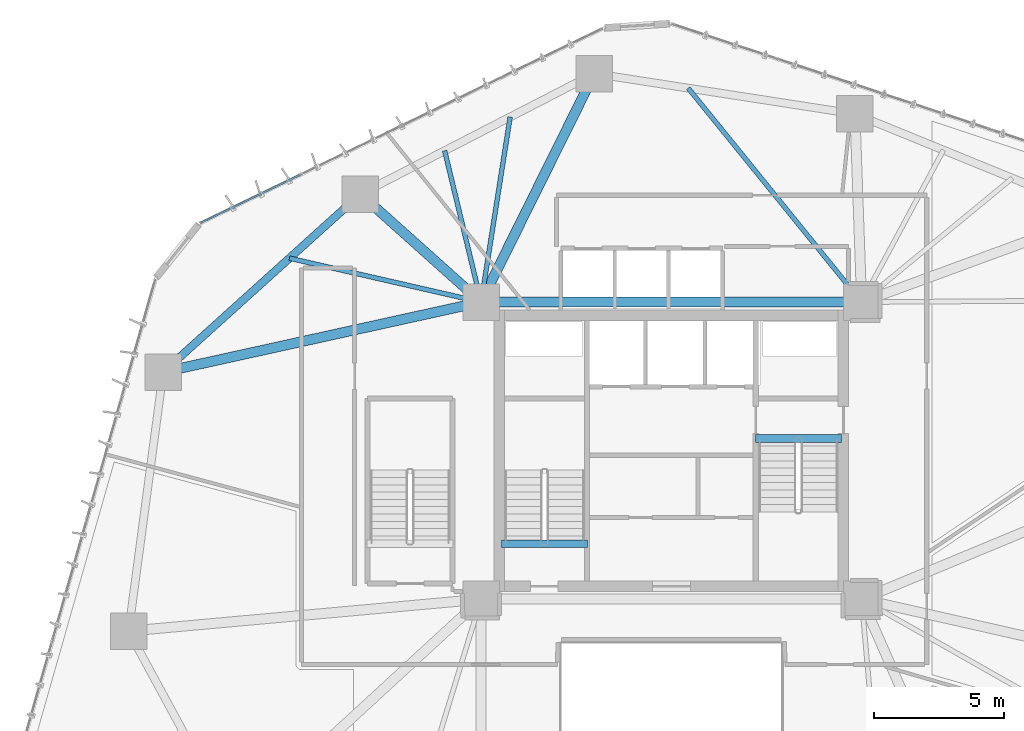
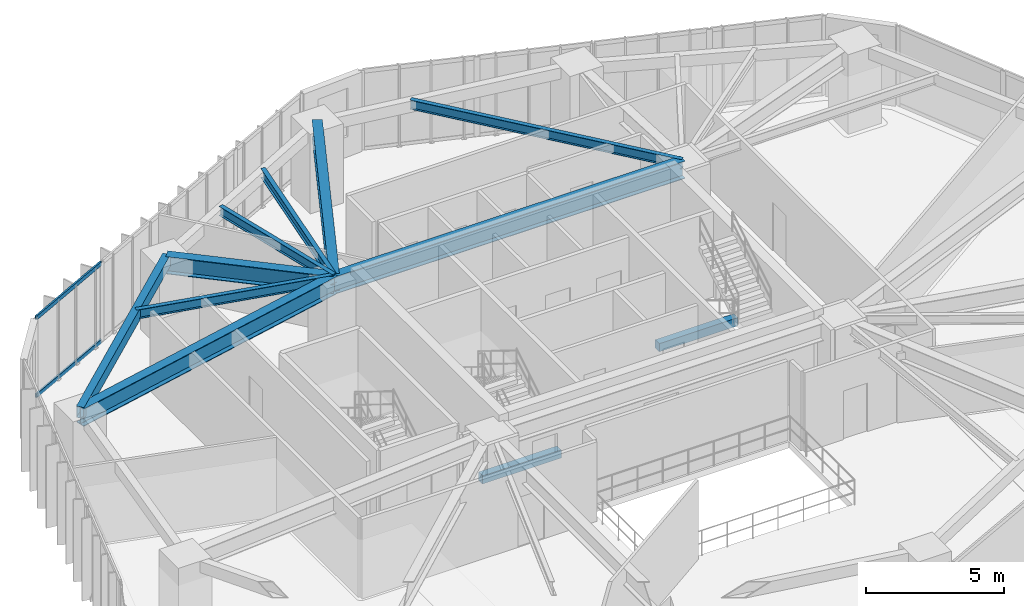
# One storey, part 7 of 23: 11 beams, 2 members, 1 element without a shape of its own.
"""IFC4 building model written with IfcOpenShell, lengths in metres."""

from ifc_helpers import new_model, si_unit, direction, frame, origin, origin_2d, place, context, subcontext, project, spatial, rectangle, hollow_rectangle, i_section, extrude, source, transform, mapped, material, layer, layer_set, material_profile, profile_set, type_object, type_shapes, element, aggregate, save


model = new_model("IFC4")

# Units and contexts
model_context = context("Model", 3, precision=1e-05, world=origin(), true_north=direction((0.0, 1.0)))
body_context = subcontext(model_context, "Body", "Model", "MODEL_VIEW")
ifc_project = project(units=[si_unit("LENGTHUNIT", "METRE"), si_unit("AREAUNIT", "SQUARE_METRE"), si_unit("VOLUMEUNIT", "CUBIC_METRE"), si_unit("PLANEANGLEUNIT", "RADIAN"), si_unit("MASSUNIT", "GRAM", prefix="KILO")], contexts=[model_context])

# Site, building, storey
site_placement = place(None, origin())
site = spatial("IfcSite", under=ifc_project, at=site_placement, CompositionType="ELEMENT")
building_placement = place(site_placement, origin())
building = spatial("IfcBuilding", under=site, at=building_placement, Name="Talar Marvaseh", CompositionType="ELEMENT")
storey_placement = place(building_placement, frame((0.0, 0.0, 35.39990234375)))
storey = spatial("IfcBuildingStorey", under=building, at=storey_placement, Name="L08", CompositionType="ELEMENT", Elevation=35.39990234375)

# Beams
ifc_material_1 = material(Name="Concrete C40/50", Category="concrete")
ifc_material_profile_1 = material_profile(ifc_material_1, rectangle(XDim=0.300048828125, YDim=0.360107421875, at=origin_2d()), Name="RC300x360")
ifc_profile_set_1 = profile_set([ifc_material_profile_1], Name="Concrete C40/50")
beam_type_1 = type_object("IfcBeamType", Name="Concrete Stair Landing Trimmer Beam RC300x360", PredefinedType="SPANDREL", material=ifc_profile_set_1)
for number, where, z_axis, x_axis, name in (
    (1, (22.780029296875, 27.6298828125, -0.179931640625), (-1.0, 0.0, 0.0), (0.0, -1.0, 0.0), "L08 ST-1 Stair Nosing Trimmer Beam"),
    (2, (29.219970703125, 31.669921875, -0.179931640625), (1.0, 0.0, 0.0), (0.0, 1.0, 0.0), "L08 ST-2 Stair Nosing Trimmer Beam"),
):
    element("IfcBeam", number, at=place(storey_placement, frame(where, z_axis=z_axis, x_axis=x_axis)), inside=storey, type_object=beam_type_1, Name=name, PredefinedType="SPANDREL", context=body_context, shape_type="SweptSolid", body=[
        extrude(rectangle(XDim=0.300048828125, YDim=0.360107421875, at=origin_2d()), origin(), (0.0, 0.0, 1.0), 3.300048828125),
    ])
ifc_material_2 = material(Name="Steel S355", Category="steel")
ifc_material_profile_2 = material_profile(ifc_material_2, hollow_rectangle(XDim=0.300048828125, YDim=0.5, WallThickness=0.02001953125, at=origin_2d()), Name="RHS500x300x20")
ifc_profile_set_2 = profile_set([ifc_material_profile_2], Name="Steel S355")
beam_type_2 = type_object("IfcBeamType", Name="Zone 1 Perimeter Spandrel Beam RHS500x300x20", PredefinedType="SPANDREL", material=ifc_profile_set_2)
beam_1_placement = place(storey_placement, frame((6.501953125, 34.214111328125, 3.27001953125), z_axis=(0.742394279812, 0.669963232799, 0.0), x_axis=(-0.669963232799, 0.742394279812, 0.0)))
element("IfcBeam", 3, at=beam_1_placement, inside=storey, type_object=beam_type_2, Name="L08 Zone 1 Perimeter Spandrel Beam RHS500x300x20", PredefinedType="SPANDREL", context=body_context, shape_type="SweptSolid", body=[
    extrude(hollow_rectangle(XDim=0.300048828125, YDim=0.5, WallThickness=0.02001953125, at=origin_2d()), origin(), (0.0, 0.0, 1.0), 10.19287109375),
])
ifc_material_profile_3 = material_profile(ifc_material_2, i_section(OverallWidth=0.381103515625, OverallDepth=0.77294921875, WebThickness=0.0166015625, FlangeThickness=0.027099609375, at=origin_2d()), Name="W760x257")
ifc_profile_set_3 = profile_set([ifc_material_profile_3], Name="Steel S355")
beam_type_3 = type_object("IfcBeamType", Name="Zone 1 Radial Floor Girder W760x257", PredefinedType="BEAM", material=ifc_profile_set_3)
beam_2_placement = place(storey_placement, frame((18.699951171875, 36.89990234375, 3.133544921875), z_axis=(1.0, 0.0, 0.0), x_axis=(0.0, 1.0, 0.0)))
element("IfcBeam", 4, at=beam_2_placement, inside=storey, type_object=beam_type_3, Name="L08 Zone 1 Radial Floor Girder W760x257", PredefinedType="BEAM", context=body_context, shape_type="SweptSolid", body=[
    extrude(i_section(OverallWidth=0.381103515625, OverallDepth=0.77294921875, WebThickness=0.0166015625, FlangeThickness=0.027099609375, at=origin_2d()), origin(), (0.0, 0.0, 1.0), 14.60009765625),
])
beam_3_placement = place(storey_placement, frame((6.501953125, 34.214111328125, 3.133544921875), z_axis=(0.976606962034, 0.215032187606, 0.0), x_axis=(-0.215032187606, 0.976606962034, 0.0)))
element("IfcBeam", 5, at=beam_3_placement, inside=storey, type_object=beam_type_3, Name="L08 Zone 1 Radial Floor Girder W760x257", PredefinedType="BEAM", context=body_context, shape_type="SweptSolid", body=[
    extrude(i_section(OverallWidth=0.381103515625, OverallDepth=0.77294921875, WebThickness=0.0166015625, FlangeThickness=0.027099609375, at=origin_2d()), origin(), (0.0, 0.0, 1.0), 12.490234375),
])
beam_4_placement = place(storey_placement, frame((14.069091796875, 41.04296875, 3.133544921875), z_axis=(0.745268030676, -0.666764997921, 0.0), x_axis=(0.666764997921, 0.745268030676, 0.0)))
element("IfcBeam", 6, at=beam_4_placement, inside=storey, type_object=beam_type_3, Name="L08 Zone 1 Radial Floor Girder W760x257", PredefinedType="BEAM", context=body_context, shape_type="SweptSolid", body=[
    extrude(i_section(OverallWidth=0.381103515625, OverallDepth=0.77294921875, WebThickness=0.0166015625, FlangeThickness=0.027099609375, at=origin_2d()), origin(), (0.0, 0.0, 1.0), 6.213623046875),
])
beam_5_placement = place(storey_placement, frame((23.047119140625, 45.6669921875, 3.133544921875), z_axis=(-0.444237233911, -0.895909191831, 0.0), x_axis=(0.895909191831, -0.444237233911, 0.0)))
element("IfcBeam", 7, at=beam_5_placement, inside=storey, type_object=beam_type_3, Name="L08 Zone 1 Radial Floor Girder W760x257", PredefinedType="BEAM", context=body_context, shape_type="SweptSolid", body=[
    extrude(i_section(OverallWidth=0.381103515625, OverallDepth=0.77294921875, WebThickness=0.0166015625, FlangeThickness=0.027099609375, at=origin_2d()), origin(), (0.0, 0.0, 1.0), 9.78564453125),
])
ifc_material_profile_4 = material_profile(ifc_material_2, i_section(OverallWidth=0.179931640625, OverallDepth=0.4130859375, WebThickness=0.009765625, FlangeThickness=0.01611328125, at=origin_2d()), Name="W410x75")
ifc_profile_set_4 = profile_set([ifc_material_profile_4], Name="Steel S355")
beam_type_4 = type_object("IfcBeamType", Name="Zone 1 Secondary Floor Joist W410x75", PredefinedType="JOIST", material=ifc_profile_set_4)
beam_6_placement = place(storey_placement, frame((11.344970703125, 38.584716796875, 3.3134765625), z_axis=(0.974752568621, -0.223287773885, 0.0), x_axis=(0.223287773885, 0.974752568621, 0.0)))
element("IfcBeam", 8, at=beam_6_placement, inside=storey, type_object=beam_type_4, Name="L08 Zone 1 Secondary Floor Joist W410x75", PredefinedType="JOIST", context=body_context, shape_type="SweptSolid", body=[
    extrude(i_section(OverallWidth=0.179931640625, OverallDepth=0.4130859375, WebThickness=0.009765625, FlangeThickness=0.01611328125, at=origin_2d()), origin(), (0.0, 0.0, 1.0), 7.54541015625),
])
beam_7_placement = place(storey_placement, frame((17.301025390625, 42.70751953125, 3.3134765625), z_axis=(0.234179742477, -0.972193318334, 0.0), x_axis=(0.972193318334, 0.234179742477, 0.0)))
element("IfcBeam", 9, at=beam_7_placement, inside=storey, type_object=beam_type_4, Name="L08 Zone 1 Secondary Floor Joist W410x75", PredefinedType="JOIST", context=body_context, shape_type="SweptSolid", body=[
    extrude(i_section(OverallWidth=0.179931640625, OverallDepth=0.4130859375, WebThickness=0.009765625, FlangeThickness=0.01611328125, at=origin_2d()), origin(), (0.0, 0.0, 1.0), 5.9736328125),
])
beam_8_placement = place(storey_placement, frame((19.81494140625, 44.00244140625, 3.3134765625), z_axis=(-0.15508539052, -0.987901068755, 0.0), x_axis=(0.987901068755, -0.15508539052, 0.0)))
element("IfcBeam", 10, at=beam_8_placement, inside=storey, type_object=beam_type_4, Name="L08 Zone 1 Secondary Floor Joist W410x75", PredefinedType="JOIST", context=body_context, shape_type="SweptSolid", body=[
    extrude(i_section(OverallWidth=0.179931640625, OverallDepth=0.4130859375, WebThickness=0.009765625, FlangeThickness=0.01611328125, at=origin_2d()), origin(), (0.0, 0.0, 1.0), 7.189453125),
])
beam_9_placement = place(storey_placement, frame((26.646484375, 45.109375, 3.3134765625), z_axis=(0.629644089062, -0.776883724317, 0.0), x_axis=(0.776883724317, 0.629644089062, 0.0)))
element("IfcBeam", 11, at=beam_9_placement, inside=storey, type_object=beam_type_4, Name="L08 Zone 1 Secondary Floor Joist W410x75", PredefinedType="JOIST", context=body_context, shape_type="SweptSolid", body=[
    extrude(i_section(OverallWidth=0.179931640625, OverallDepth=0.4130859375, WebThickness=0.009765625, FlangeThickness=0.01611328125, at=origin_2d()), origin(), (0.0, 0.0, 1.0), 10.567138671875),
])

# Curtain wall, members
ifc_material_3 = material(Name="Architectural Aluminium", Category="aluminium")
ifc_layer = layer(ifc_material_3, 0.219970703125)
ifc_layer_set = layer_set([ifc_layer], Name="Architectural Aluminium")
curtain_wall_type = type_object("IfcCurtainWallType", Name="Unitised Low-E Museum Curtain Wall Z1", PredefinedType="NOTDEFINED", material=ifc_layer_set)
curtain_wall_placement = place(storey_placement, origin())
curtain_wall = element("IfcCurtainWall", 12, at=curtain_wall_placement, inside=storey, type_object=curtain_wall_type, Name="L08 Unitised Low-E Museum Curtain Wall Z1", PredefinedType="NOTDEFINED")
ifc_material_profile_5 = material_profile(ifc_material_3, hollow_rectangle(XDim=0.074951171875, YDim=0.179931640625, WallThickness=0.0048828125, at=origin_2d()), Name="RHS180x75x5")
ifc_profile_set_5 = profile_set([ifc_material_profile_5], Name="Architectural Aluminium")
member_type = type_object("IfcMemberType", Name="Unitised Curtain Wall Transom RHS180x75x5", PredefinedType="USERDEFINED", material=ifc_profile_set_5)
shared_shape = source(origin(), body_context, "Body", "SweptSolid", [
    extrude(hollow_rectangle(XDim=0.074951171875, YDim=0.179931640625, WallThickness=0.0048828125, at=origin_2d()), origin(), (0.0, 0.0, 1.0), 4.19189453125),
])
type_shapes(member_type, [shared_shape])
member_1_placement = place(storey_placement, frame((7.957275390625, 39.942138671875, 0.03759765625), z_axis=(0.900175456176, 0.435527436677, 0.0), x_axis=(-0.435527436677, 0.900175456176, 0.0)))
member_1 = element("IfcMember", 13, at=member_1_placement, type_object=member_type, Name="CW-Z1 transom 1.1", ObjectType="TRANSOM", PredefinedType="USERDEFINED", context=body_context, shape_type="MappedRepresentation", body=[
    mapped(shared_shape, transform((0.0, 0.0, 0.0), x_axis=(1.0, 0.0, 0.0), y_axis=(0.0, 1.0, 0.0), z_axis=(0.0, 0.0, 1.0), scale=1.0)),
])
member_2_placement = place(storey_placement, frame((7.957275390625, 39.942138671875, 3.482666015625), z_axis=(0.900175456176, 0.435527436677, 0.0), x_axis=(-0.435527436677, 0.900175456176, 0.0)))
member_2 = element("IfcMember", 14, at=member_2_placement, type_object=member_type, Name="CW-Z1 transom 1.2", ObjectType="TRANSOM", PredefinedType="USERDEFINED", context=body_context, shape_type="MappedRepresentation", body=[
    mapped(shared_shape, transform((0.0, 0.0, 0.0), x_axis=(1.0, 0.0, 0.0), y_axis=(0.0, 1.0, 0.0), z_axis=(0.0, 0.0, 1.0), scale=1.0)),
])
aggregate(curtain_wall, [member_1, member_2])

save(model, "model.ifc")
